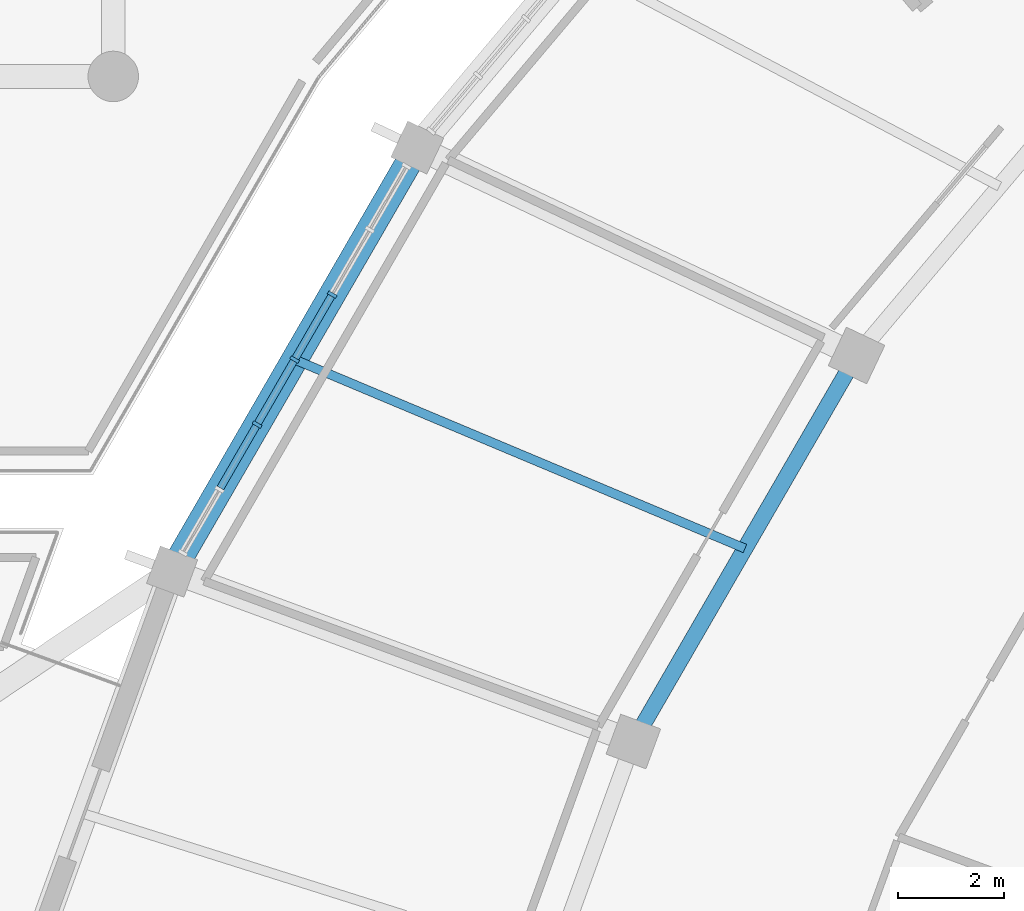
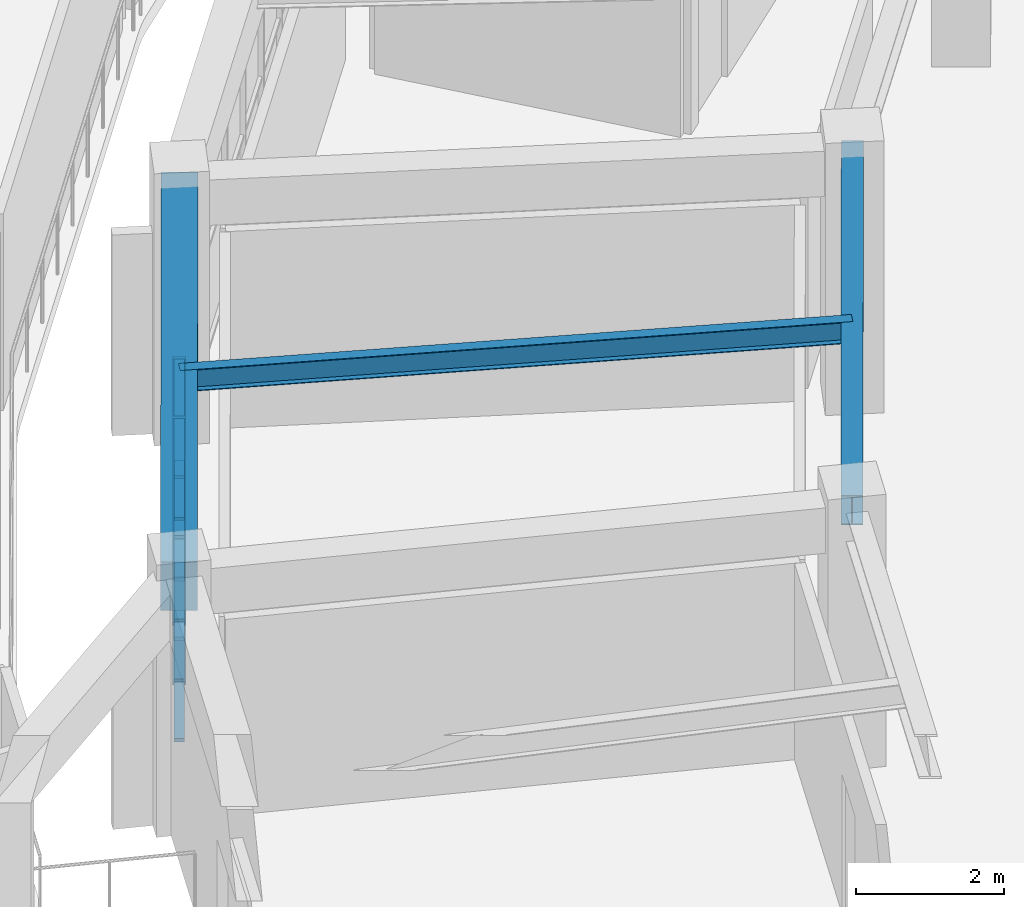
# One storey, part 30 of 141: 12 members, 3 beams, 1 element without a shape of its own.
"""IFC4 building model written with IfcOpenShell, lengths in metres."""

from ifc_helpers import new_model, si_unit, direction, frame, origin, origin_2d, place, context, subcontext, project, spatial, rectangle, i_section, extrude, material, layer, layer_set, material_profile, profile_set, type_object, element, aggregate, save


model = new_model("IFC4")

# Units and contexts
model_context = context("Model", 3, precision=1e-05, world=origin(), true_north=direction((0.0, 1.0)))
body_context = subcontext(model_context, "Body", "Model", "MODEL_VIEW")
ifc_project = project(units=[si_unit("LENGTHUNIT", "METRE"), si_unit("AREAUNIT", "SQUARE_METRE"), si_unit("VOLUMEUNIT", "CUBIC_METRE"), si_unit("PLANEANGLEUNIT", "RADIAN"), si_unit("MASSUNIT", "GRAM", prefix="KILO")], contexts=[model_context])

# Site, building, storey
site_placement = place(None, origin())
site = spatial("IfcSite", under=ifc_project, at=site_placement, CompositionType="ELEMENT")
building_placement = place(site_placement, origin())
building = spatial("IfcBuilding", under=site, at=building_placement, Name="Mphavela Belvedere Stadium", CompositionType="ELEMENT")
storey_placement = place(building_placement, frame((0.0, 0.0, 14.699951171875)))
storey = spatial("IfcBuildingStorey", under=building, at=storey_placement, Name="L03", CompositionType="ELEMENT", Elevation=14.699951171875)

# Beams
ifc_material_1 = material(Name="Steel S355", Category="steel")
ifc_material_profile_1 = material_profile(ifc_material_1, i_section(OverallWidth=0.169921875, OverallDepth=0.360107421875, WebThickness=0.008056640625, FlangeThickness=0.0126953125, at=origin_2d()), Name="IPE 360")
ifc_profile_set_1 = profile_set([ifc_material_profile_1], Name="Steel S355")
beam_type_1 = type_object("IfcBeamType", Name="BM-JOIST-IPE360", PredefinedType="JOIST", material=ifc_profile_set_1)
beam_1_placement = place(storey_placement, frame((28.924560546875, 123.116455078125, 4.070068359375), z_axis=(-0.922122234563, 0.386898674751, 0.0), x_axis=(-0.386898674751, -0.922122234563, 0.0)))
element("IfcBeam", 1, at=beam_1_placement, inside=storey, type_object=beam_type_1, Name="Concourse floor joist L03-21", PredefinedType="JOIST", context=body_context, shape_type="SweptSolid", body=[
    extrude(i_section(OverallWidth=0.169921875, OverallDepth=0.360107421875, WebThickness=0.008056640625, FlangeThickness=0.0126953125, at=origin_2d()), origin(), (0.0, 0.0, 1.0), 9.189453125),
])
ifc_material_2 = material(Name="Concrete C40/50", Category="concrete")
ifc_material_profile_2 = material_profile(ifc_material_2, rectangle(XDim=0.5, YDim=0.800048828125, at=origin_2d()), Name="RC 500x800")
ifc_profile_set_2 = profile_set([ifc_material_profile_2], Name="Concrete C40/50")
beam_type_2 = type_object("IfcBeamType", Name="BM-SPANDREL-800", PredefinedType="SPANDREL", material=ifc_profile_set_2)
beam_2_placement = place(storey_placement, frame((22.757568359375, 130.66162109375, 3.85009765625), z_axis=(-0.500565297122, -0.865698783248, 0.0), x_axis=(0.865698783248, -0.500565297122, 0.0)))
element("IfcBeam", 2, at=beam_2_placement, inside=storey, type_object=beam_type_2, Name="Circumferential girder L03 R4-21", PredefinedType="SPANDREL", context=body_context, shape_type="SweptSolid", body=[
    extrude(rectangle(XDim=0.5, YDim=0.800048828125, at=origin_2d()), origin(), (0.0, 0.0, 1.0), 9.217041015625),
])
ifc_material_3 = material(Name="Steel S355", Category="steel")
ifc_material_profile_3 = material_profile(ifc_material_3, i_section(OverallWidth=0.300048828125, OverallDepth=0.489990234375, WebThickness=0.011962890625, FlangeThickness=0.02294921875, at=origin_2d()), Name="HEA 500")
ifc_profile_set_3 = profile_set([ifc_material_profile_3], Name="Steel S355")
beam_type_3 = type_object("IfcBeamType", Name="BM-STEEL-HEA500", PredefinedType="BEAM", material=ifc_profile_set_3)
beam_3_placement = place(storey_placement, frame((31.0244140625, 126.748291015625, 4.005126953125), z_axis=(-0.500547586322, -0.865709023765, 0.0), x_axis=(0.865709023765, -0.500547586322, 0.0)))
element("IfcBeam", 3, at=beam_3_placement, inside=storey, type_object=beam_type_3, Name="Circumferential girder L03 R3-21", PredefinedType="BEAM", context=body_context, shape_type="SweptSolid", body=[
    extrude(i_section(OverallWidth=0.300048828125, OverallDepth=0.489990234375, WebThickness=0.011962890625, FlangeThickness=0.02294921875, at=origin_2d()), origin(), (0.0, 0.0, 1.0), 8.390625),
])

# Curtain wall, members
ifc_material_4 = material(Name="Anodised bronze unitised curtain wall framing")
ifc_layer = layer(ifc_material_4, 0.205078125)
ifc_layer_set = layer_set([ifc_layer], Name="Anodised bronze unitised curtain wall framing")
curtain_wall_type = type_object("IfcCurtainWallType", Name="CW-UNIT-06", PredefinedType="USERDEFINED", material=ifc_layer_set)
curtain_wall_placement = place(storey_placement, origin())
curtain_wall = element("IfcCurtainWall", 4, at=curtain_wall_placement, inside=storey, type_object=curtain_wall_type, Name="Belvedere colonnade curtain wall L03-21", ObjectType="UNITISED CURTAIN WALL", PredefinedType="USERDEFINED")
ifc_material_5 = material(Name="Anodised bronze extruded aluminium", Category="aluminium")
ifc_material_profile_4 = material_profile(ifc_material_5, rectangle(XDim=0.179931640625, YDim=0.06494140625, at=origin_2d()), Name="CW-MUL 180x65")
ifc_profile_set_4 = profile_set([ifc_material_profile_4], Name="Anodised bronze extruded aluminium")
member_type_1 = type_object("IfcMemberType", Name="CWM-180x65", PredefinedType="MULLION", material=ifc_profile_set_4)
member_1_placement = place(storey_placement, frame((21.157470703125, 127.89404296875, 0.0), z_axis=(0.0, 0.0, 1.0), x_axis=(0.865705257789, -0.50055409961, 0.0)))
member_1 = element("IfcMember", 5, at=member_1_placement, type_object=member_type_1, Name="CW-06 mullion 3", PredefinedType="MULLION", context=body_context, shape_type="SweptSolid", body=[
    extrude(rectangle(XDim=0.179931640625, YDim=0.06494140625, at=origin_2d()), origin(), (0.0, 0.0, 1.0), 3.420166015625),
])
member_2_placement = place(storey_placement, frame((20.45068359375, 126.671875, 0.0), z_axis=(0.0, 0.0, 1.0), x_axis=(0.865705257789, -0.50055409961, 0.0)))
member_2 = element("IfcMember", 6, at=member_2_placement, type_object=member_type_1, Name="CW-06 mullion 4", PredefinedType="MULLION", context=body_context, shape_type="SweptSolid", body=[
    extrude(rectangle(XDim=0.179931640625, YDim=0.06494140625, at=origin_2d()), origin(), (0.0, 0.0, 1.0), 3.420166015625),
])
member_3_placement = place(storey_placement, frame((19.743896484375, 125.44970703125, 0.0), z_axis=(0.0, 0.0, 1.0), x_axis=(0.865705257789, -0.50055409961, 0.0)))
member_3 = element("IfcMember", 7, at=member_3_placement, type_object=member_type_1, Name="CW-06 mullion 5", PredefinedType="MULLION", context=body_context, shape_type="SweptSolid", body=[
    extrude(rectangle(XDim=0.179931640625, YDim=0.06494140625, at=origin_2d()), origin(), (0.0, 0.0, 1.0), 3.420166015625),
])
ifc_material_6 = material(Name="Anodised bronze extruded aluminium", Category="aluminium")
ifc_material_profile_5 = material_profile(ifc_material_6, rectangle(XDim=0.139892578125, YDim=0.06005859375, at=origin_2d()), Name="CW-TRN 140x60")
ifc_profile_set_5 = profile_set([ifc_material_profile_5], Name="Anodised bronze extruded aluminium")
member_type_2 = type_object("IfcMemberType", Name="CWT-140x60", PredefinedType="USERDEFINED", material=ifc_profile_set_5)
member_4_placement = place(storey_placement, frame((21.14111328125, 127.865966796875, 0.030029296875), z_axis=(-0.500485966498, -0.865744649038, 0.0), x_axis=(0.865744649038, -0.500485966498, 0.0)))
member_4 = element("IfcMember", 8, at=member_4_placement, type_object=member_type_2, Name="CW-06 transom 3.1", ObjectType="TRANSOM", PredefinedType="USERDEFINED", context=body_context, shape_type="SweptSolid", body=[
    extrude(rectangle(XDim=0.139892578125, YDim=0.06005859375, at=origin_2d()), origin(), (0.0, 0.0, 1.0), 1.346923828125),
])
member_5_placement = place(storey_placement, frame((21.14111328125, 127.865966796875, 1.7099609375), z_axis=(-0.500485966498, -0.865744649038, 0.0), x_axis=(0.865744649038, -0.500485966498, 0.0)))
member_5 = element("IfcMember", 9, at=member_5_placement, type_object=member_type_2, Name="CW-06 transom 3.2", ObjectType="TRANSOM", PredefinedType="USERDEFINED", context=body_context, shape_type="SweptSolid", body=[
    extrude(rectangle(XDim=0.139892578125, YDim=0.06005859375, at=origin_2d()), origin(), (0.0, 0.0, 1.0), 1.346923828125),
])
member_6_placement = place(storey_placement, frame((21.14111328125, 127.865966796875, 3.39013671875), z_axis=(-0.500485966498, -0.865744649038, 0.0), x_axis=(0.865744649038, -0.500485966498, 0.0)))
member_6 = element("IfcMember", 10, at=member_6_placement, type_object=member_type_2, Name="CW-06 transom 3.3", ObjectType="TRANSOM", PredefinedType="USERDEFINED", context=body_context, shape_type="SweptSolid", body=[
    extrude(rectangle(XDim=0.139892578125, YDim=0.06005859375, at=origin_2d()), origin(), (0.0, 0.0, 1.0), 1.346923828125),
])
member_7_placement = place(storey_placement, frame((20.434326171875, 126.643798828125, 0.030029296875), z_axis=(-0.500485966498, -0.865744649038, 0.0), x_axis=(0.865744649038, -0.500485966498, 0.0)))
member_7 = element("IfcMember", 11, at=member_7_placement, type_object=member_type_2, Name="CW-06 transom 4.1", ObjectType="TRANSOM", PredefinedType="USERDEFINED", context=body_context, shape_type="SweptSolid", body=[
    extrude(rectangle(XDim=0.139892578125, YDim=0.06005859375, at=origin_2d()), origin(), (0.0, 0.0, 1.0), 1.346923828125),
])
member_8_placement = place(storey_placement, frame((20.434326171875, 126.643798828125, 1.7099609375), z_axis=(-0.500485966498, -0.865744649038, 0.0), x_axis=(0.865744649038, -0.500485966498, 0.0)))
member_8 = element("IfcMember", 12, at=member_8_placement, type_object=member_type_2, Name="CW-06 transom 4.2", ObjectType="TRANSOM", PredefinedType="USERDEFINED", context=body_context, shape_type="SweptSolid", body=[
    extrude(rectangle(XDim=0.139892578125, YDim=0.06005859375, at=origin_2d()), origin(), (0.0, 0.0, 1.0), 1.346923828125),
])
member_9_placement = place(storey_placement, frame((20.434326171875, 126.643798828125, 3.39013671875), z_axis=(-0.500485966498, -0.865744649038, 0.0), x_axis=(0.865744649038, -0.500485966498, 0.0)))
member_9 = element("IfcMember", 13, at=member_9_placement, type_object=member_type_2, Name="CW-06 transom 4.3", ObjectType="TRANSOM", PredefinedType="USERDEFINED", context=body_context, shape_type="SweptSolid", body=[
    extrude(rectangle(XDim=0.139892578125, YDim=0.06005859375, at=origin_2d()), origin(), (0.0, 0.0, 1.0), 1.346923828125),
])
member_10_placement = place(storey_placement, frame((19.727783203125, 125.421630859375, 0.030029296875), z_axis=(-0.500621812239, -0.865666102554, 0.0), x_axis=(0.865666102554, -0.500621812239, 0.0)))
member_10 = element("IfcMember", 14, at=member_10_placement, type_object=member_type_2, Name="CW-06 transom 5.1", ObjectType="TRANSOM", PredefinedType="USERDEFINED", context=body_context, shape_type="SweptSolid", body=[
    extrude(rectangle(XDim=0.139892578125, YDim=0.06005859375, at=origin_2d()), origin(), (0.0, 0.0, 1.0), 1.346923828125),
])
member_11_placement = place(storey_placement, frame((19.727783203125, 125.421630859375, 1.7099609375), z_axis=(-0.500621812239, -0.865666102554, 0.0), x_axis=(0.865666102554, -0.500621812239, 0.0)))
member_11 = element("IfcMember", 15, at=member_11_placement, type_object=member_type_2, Name="CW-06 transom 5.2", ObjectType="TRANSOM", PredefinedType="USERDEFINED", context=body_context, shape_type="SweptSolid", body=[
    extrude(rectangle(XDim=0.139892578125, YDim=0.06005859375, at=origin_2d()), origin(), (0.0, 0.0, 1.0), 1.346923828125),
])
member_12_placement = place(storey_placement, frame((19.727783203125, 125.421630859375, 3.39013671875), z_axis=(-0.500621812239, -0.865666102554, 0.0), x_axis=(0.865666102554, -0.500621812239, 0.0)))
member_12 = element("IfcMember", 16, at=member_12_placement, type_object=member_type_2, Name="CW-06 transom 5.3", ObjectType="TRANSOM", PredefinedType="USERDEFINED", context=body_context, shape_type="SweptSolid", body=[
    extrude(rectangle(XDim=0.139892578125, YDim=0.06005859375, at=origin_2d()), origin(), (0.0, 0.0, 1.0), 1.346923828125),
])
aggregate(curtain_wall, [member_1, member_2, member_3, member_4, member_5, member_6, member_7, member_8, member_9, member_10, member_11, member_12])

save(model, "model.ifc")
